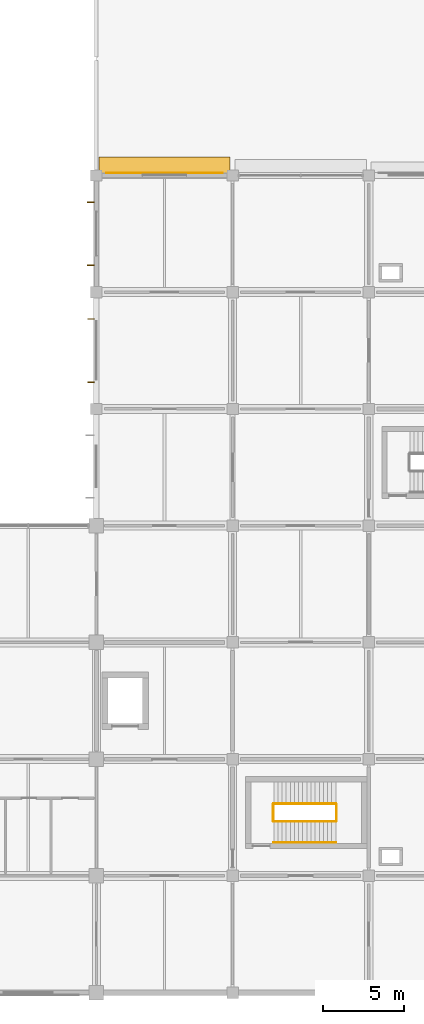
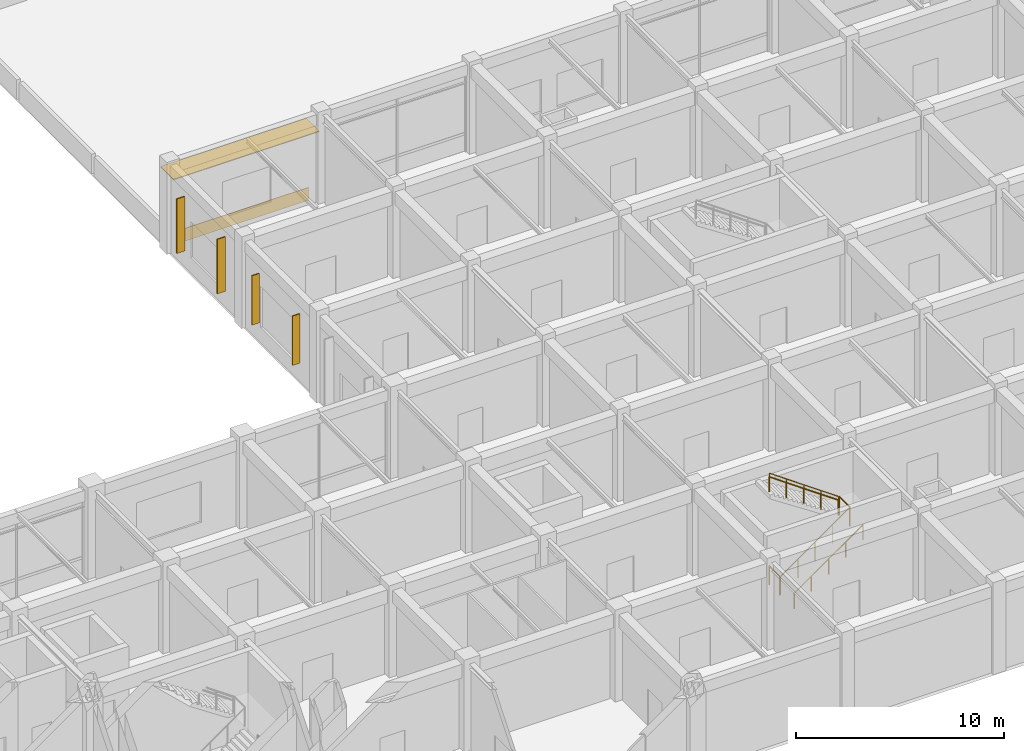
# One storey, part 39 of 41: 6 railings, 5 shading devices, 1 covering.
"""IFC4 building model written with IfcOpenShell, lengths in metres."""

import ifcopenshell
import ifcopenshell.guid

model = None  # the IFC model being written
_history = None  # IfcOwnerHistory: only IFC2X3 demands one
_inside = {}  # id of a spatial element -> (the spatial element, [elements in it])
_under = {}  # id of a project, library or spatial element -> (it, [spatial elements below it])
_declared = {}  # id of a project -> (the project, [libraries it declares])
_typed = {}  # id of a type object -> (the type object, [elements of that type])
_made_of = {}  # id of a material, layer set ... -> (it, [elements and type objects made of it])


def new_model(schema):
    """Start an empty IFC model of exactly this schema.

    Asked for "IFC4X3", IfcOpenShell would pick the latest addendum, in which some entities
    have other attributes; the version numbers below select the first issue.
    IFC2X3 requires an IfcOwnerHistory on every rooted entity: one is made here for all.
    """
    global model, _history
    if schema == "IFC4X3":
        model = ifcopenshell.file(schema_version=(4, 3, 0, 0))
    else:
        model = ifcopenshell.file(schema=schema)
    _inside.clear()
    _under.clear()
    _declared.clear()
    _typed.clear()
    _made_of.clear()
    _history = None
    if model.schema == "IFC2X3":
        org = make("IfcOrganization", Name="unknown")
        user = make(
            "IfcPersonAndOrganization",
            ThePerson=make("IfcPerson", FamilyName="unknown"),
            TheOrganization=org,
        )
        app = make(
            "IfcApplication",
            ApplicationDeveloper=org,
            Version="unknown",
            ApplicationFullName="unknown",
            ApplicationIdentifier="unknown",
        )
        _history = make(
            "IfcOwnerHistory",
            OwningUser=user,
            OwningApplication=app,
            ChangeAction="ADDED",
            CreationDate=0,
        )
    return model


def make(cls, **values):
    """One entity of the class cls with the attributes given. An attribute that is None is left unset."""
    return model.create_entity(
        cls, **{name: value for name, value in values.items() if value is not None}
    )


def rooted(cls, **values):
    """An entity with a GlobalId (a new one), such as an element, a storey or a relation."""
    return make(cls, GlobalId=ifcopenshell.guid.new(), OwnerHistory=_history, **values)


def si_unit(unit_type, name, prefix=None):
    """IfcSIUnit, for example si_unit("LENGTHUNIT", "METRE", prefix="MILLI")."""
    return make("IfcSIUnit", UnitType=unit_type, Prefix=prefix, Name=name)


def derived_unit(unit_type, elements):
    """IfcDerivedUnit: a product of units, each with its exponent."""
    return make(
        "IfcDerivedUnit",
        Elements=[
            make("IfcDerivedUnitElement", Unit=unit, Exponent=power)
            for unit, power in elements
        ],
        UnitType=unit_type,
    )


def assignment(units):
    """IfcUnitAssignment: the units of a project."""
    return None if units is None else make("IfcUnitAssignment", Units=units)


def point(xyz):
    """IfcCartesianPoint."""
    return None if xyz is None else make("IfcCartesianPoint", Coordinates=xyz)


def direction(xyz):
    """IfcDirection."""
    return None if xyz is None else make("IfcDirection", DirectionRatios=xyz)


def frame(location, z_axis=None, x_axis=None):
    """IfcAxis2Placement3D, a coordinate frame: its origin and axes. An axis left out is left unset."""
    return make(
        "IfcAxis2Placement3D",
        Location=point(location),
        Axis=direction(z_axis),
        RefDirection=direction(x_axis),
    )


def frame_2d(location, x_axis=None):
    """IfcAxis2Placement2D, a coordinate frame in the plane: its origin and x axis."""
    return make(
        "IfcAxis2Placement2D", Location=point(location), RefDirection=direction(x_axis)
    )


def origin():
    """The frame at (0, 0, 0) with its axes left unset."""
    return frame((0.0, 0.0, 0.0))


def origin_2d():
    """The frame at (0, 0) in the plane with its x axis left unset."""
    return frame_2d((0.0, 0.0))


def place(relative_to, where):
    """IfcLocalPlacement: puts the frame where relative to a parent placement (None: the world)."""
    return make(
        "IfcLocalPlacement", PlacementRelTo=relative_to, RelativePlacement=where
    )


def context(
    kind, dimensions, precision=None, world=None, true_north=None, identifier=None
):
    """IfcGeometricRepresentationContext, for example the 3D "Model" context."""
    return make(
        "IfcGeometricRepresentationContext",
        ContextIdentifier=identifier,
        ContextType=kind,
        CoordinateSpaceDimension=dimensions,
        Precision=precision,
        WorldCoordinateSystem=world,
        TrueNorth=true_north,
    )


def subcontext(parent, identifier, kind, view, scale=None):
    """IfcGeometricRepresentationSubContext, for example "Body" below "Model"."""
    return make(
        "IfcGeometricRepresentationSubContext",
        ContextIdentifier=identifier,
        ContextType=kind,
        ParentContext=parent,
        TargetScale=scale,
        TargetView=view,
    )


def project(units=None, contexts=None):
    """IfcProject with its units and contexts."""
    return rooted(
        "IfcProject",
        Name="project",
        RepresentationContexts=contexts,
        UnitsInContext=assignment(units),
    )


def spatial(cls, under=None, at=None, **own):
    """A site, building, storey or space (cls), placed at a placement, below another one or the project."""
    s = rooted(cls, ObjectPlacement=at, **own)
    if under is not None:
        _under.setdefault(under.id(), (under, []))[1].append(s)
    return s


def profile(cls, at=None, kind="AREA", **sizes):
    """A parametric profile (cls). Its sizes go by their IFC names, for example OverallWidth=200.0."""
    return make(cls, ProfileType=kind, Position=at, **sizes)


def rectangle(**sizes):
    """IfcRectangleProfileDef."""
    return profile("IfcRectangleProfileDef", **sizes)


def circle(**sizes):
    """IfcCircleProfileDef."""
    return profile("IfcCircleProfileDef", **sizes)


def extrude(swept, where, along, depth):
    """IfcExtrudedAreaSolid: the profile swept, set in the frame where, extruded along a direction by depth."""
    return make(
        "IfcExtrudedAreaSolid",
        SweptArea=swept,
        Position=where,
        ExtrudedDirection=direction(along),
        Depth=depth,
    )


def shape(context_of_items, identifier, shape_type, items):
    """IfcShapeRepresentation: the items that make up one representation, for example the "Body"."""
    return make(
        "IfcShapeRepresentation",
        ContextOfItems=context_of_items,
        RepresentationIdentifier=identifier,
        RepresentationType=shape_type,
        Items=items,
    )


def material(Name=None, Category=None):
    """IfcMaterial."""
    return make("IfcMaterial", Name=Name, Category=Category)


def layer(
    of_material, thickness, ventilated=None, Name=None, Category=None, Priority=None
):
    """IfcMaterialLayer: one layer of a wall or slab, of a material (None: an air gap)."""
    return make(
        "IfcMaterialLayer",
        Material=of_material,
        LayerThickness=thickness,
        IsVentilated=ventilated,
        Name=Name,
        Category=Category,
        Priority=Priority,
    )


def layer_set(layers, Name=None):
    """IfcMaterialLayerSet."""
    return make("IfcMaterialLayerSet", MaterialLayers=layers, LayerSetName=Name)


def made_of(thing, what):
    """Note that an element or type object is made of a material, layer set ...; save() writes the relation."""
    if what is not None:
        _made_of.setdefault(what.id(), (what, []))[1].append(thing)
    return thing


def type_object(cls, material=None, **own):
    """A type object (cls), such as IfcWallType, which elements share."""
    return made_of(rooted(cls, **own), material)


def element(
    cls,
    number,
    at=None,
    inside=None,
    cuts=None,
    type_object=None,
    material=None,
    context=None,
    identifier="Body",
    shape_type=None,
    held_by="IfcProductDefinitionShape",
    body=None,
    shapes=None,
    **own,
):
    """One element of the class cls, such as IfcWall. Its Tag is "e" and its number.

    at: its placement. inside: the storey or other place that contains it. cuts: it is an
    opening in that element (IfcRelVoidsElement). A single representation is given by context,
    identifier, shape_type and body (its items); several are given by shapes. held_by: the class
    of the entity that holds the representations. save() writes the other relations.
    """
    e = rooted(cls, Tag="e%d" % number, ObjectPlacement=at, **own)
    if body is not None:
        shapes = [shape(context, identifier, shape_type, body)]
    if shapes is not None:
        e.Representation = make(held_by, Representations=shapes)
    if inside is not None:
        _inside.setdefault(inside.id(), (inside, []))[1].append(e)
    if cuts is not None:
        rooted(
            "IfcRelVoidsElement", RelatingBuildingElement=cuts, RelatedOpeningElement=e
        )
    if type_object is not None:
        _typed.setdefault(type_object.id(), (type_object, []))[1].append(e)
    return made_of(e, material)


def aggregate(whole, parts):
    """IfcRelAggregates: a whole, such as a stair, and the parts it consists of."""
    return rooted("IfcRelAggregates", RelatingObject=whole, RelatedObjects=parts)


def save(model, path):
    """Write the relations noted so far, then the file.

    IfcRelAggregates (storeys below a building ...), IfcRelContainedInSpatialStructure (elements
    in a storey), IfcRelDefinesByType, IfcRelAssociatesMaterial and IfcRelDeclares: one each for
    every whole, place, type object, material and project.
    """
    for whole, parts in _under.values():
        aggregate(whole, parts)
    for where, things in _inside.values():
        rooted(
            "IfcRelContainedInSpatialStructure",
            RelatedElements=things,
            RelatingStructure=where,
        )
    for kind, things in _typed.values():
        rooted("IfcRelDefinesByType", RelatedObjects=things, RelatingType=kind)
    for what, things in _made_of.values():
        rooted("IfcRelAssociatesMaterial", RelatedObjects=things, RelatingMaterial=what)
    for by, libraries in _declared.values():
        rooted("IfcRelDeclares", RelatingContext=by, RelatedDefinitions=libraries)
    model.write(path)


model = new_model("IFC4")

# Units and contexts
model_context = context("Model", 3, precision=1e-05, world=origin(), true_north=direction((0.0, 1.0)))
body_context = subcontext(model_context, "Body", "Model", "MODEL_VIEW")
ifc_project = project(units=[si_unit("LENGTHUNIT", "METRE"), si_unit("AREAUNIT", "SQUARE_METRE"), si_unit("VOLUMEUNIT", "CUBIC_METRE"), si_unit("PLANEANGLEUNIT", "RADIAN"), si_unit("MASSUNIT", "GRAM", prefix="KILO"), derived_unit("THERMALTRANSMITTANCEUNIT", [(si_unit("MASSUNIT", "GRAM", prefix="KILO"), 1), (si_unit("TIMEUNIT", "SECOND"), -3), (si_unit("THERMODYNAMICTEMPERATUREUNIT", "KELVIN"), -1)])], contexts=[model_context])

# Site, building, storey
site_placement = place(None, origin())
site = spatial("IfcSite", under=ifc_project, at=site_placement, CompositionType="ELEMENT")
building_placement = place(site_placement, origin())
building = spatial("IfcBuilding", under=site, at=building_placement, Name="Veldstrom Oceanarium and Marine Research Institute", CompositionType="ELEMENT")
storey_placement = place(building_placement, frame((0.0, 0.0, 6.0)))
storey = spatial("IfcBuildingStorey", under=building, at=storey_placement, Name="L01", CompositionType="ELEMENT", Elevation=6.0)

# Covering
ifc_material_1 = material(Name="Anodised Aluminium Spandrel Rainscreen Cladding", Category="aluminium")
ifc_layer_1 = layer(ifc_material_1, 0.75)
ifc_layer_set_1 = layer_set([ifc_layer_1], Name="ARC-COV-CD1")
covering_type = type_object("IfcCoveringType", Name="ARC-COV-CD1", PredefinedType="CLADDING", material=ifc_layer_set_1)
covering_placement = place(storey_placement, frame((121.800048828125, 93.74853515625, 0.044921875), z_axis=(0.0, 0.0, 1.0), x_axis=(1.0, 0.0, 0.0)))
element("IfcCovering", 1, at=covering_placement, inside=storey, type_object=covering_type, Name="Spandrel Rainscreen Cladding L01-052", PredefinedType="CLADDING", context=body_context, shape_type="SweptSolid", body=[
    extrude(rectangle(XDim=7.199951171875, YDim=0.034912109375, at=origin_2d()), origin(), (0.0, 0.0, 1.0), 0.75),
])

# Railings
ifc_material_2 = material(Name="Duplex Stainless Steel Balustrade", Category="steel")
ifc_layer_2 = layer(ifc_material_2, 0.06005859375)
ifc_layer_set_2 = layer_set([ifc_layer_2], Name="ARC-RLG-GR1")
railing_type_1 = type_object("IfcRailingType", Name="ARC-RLG-GR1", PredefinedType="GUARDRAIL", material=ifc_layer_set_2)
railing_1_placement = place(storey_placement, frame((128.5, 53.800048828125, 0.0)))
element("IfcRailing", 2, at=railing_1_placement, inside=storey, type_object=railing_type_1, Name="Stair Well Landing Guard ST4 L01", PredefinedType="GUARDRAIL", context=body_context, shape_type="SweptSolid", body=[
    extrude(circle(Radius=0.02392578125, at=origin_2d()), frame((0.0, 0.0, 1.09619140625), z_axis=(0.0, 1.0, 0.0), x_axis=(-1.0, 0.0, 0.0)), (0.0, 0.0, 1.0), 1.0),
    extrude(circle(Radius=0.02099609375, at=origin_2d()), origin(), (0.0, 0.0, 1.0), 1.072021484375),
    extrude(circle(Radius=0.02099609375, at=origin_2d()), frame((0.0, 1.0, 0.0)), (0.0, 0.0, 1.0), 1.072021484375),
])
railing_2_placement = place(storey_placement, frame((128.5400390625, 53.760009765625, 0.0)))
element("IfcRailing", 3, at=railing_2_placement, inside=storey, type_object=railing_type_1, Name="Stair Flight Guardrail ST4-L01-1", PredefinedType="GUARDRAIL", context=body_context, shape_type="SweptSolid", body=[
    extrude(circle(Radius=0.02392578125, at=origin_2d()), frame((0.0, 0.0, 1.09619140625), z_axis=(0.816969308413, 0.0, 0.5766811503), x_axis=(0.0, 1.0, 0.0)), (0.0, 0.0, 1.0), 4.681884765625),
    extrude(circle(Radius=0.02099609375, at=origin_2d()), origin(), (0.0, 0.0, 1.0), 1.072021484375),
    extrude(circle(Radius=0.02099609375, at=origin_2d()), frame((0.956298828125, 0.0, 0.675048828125)), (0.0, 0.0, 1.0), 1.072021484375),
    extrude(circle(Radius=0.02099609375, at=origin_2d()), frame((1.91259765625, 0.0, 1.35009765625)), (0.0, 0.0, 1.0), 1.072021484375),
    extrude(circle(Radius=0.02099609375, at=origin_2d()), frame((2.86865234375, 0.0, 2.02490234375)), (0.0, 0.0, 1.0), 1.072021484375),
    extrude(circle(Radius=0.02099609375, at=origin_2d()), frame((3.824951171875, 0.0, 2.699951171875)), (0.0, 0.0, 1.0), 1.072021484375),
])
railing_3_placement = place(storey_placement, frame((132.405029296875, 53.800048828125, 2.699951171875)))
element("IfcRailing", 4, at=railing_3_placement, inside=storey, type_object=railing_type_1, Name="Stair Half-Landing Guardrail ST4-L01", PredefinedType="GUARDRAIL", context=body_context, shape_type="SweptSolid", body=[
    extrude(circle(Radius=0.02392578125, at=origin_2d()), frame((0.0, 0.0, 1.09619140625), z_axis=(0.0, 1.0, 0.0), x_axis=(-1.0, 0.0, 0.0)), (0.0, 0.0, 1.0), 1.0),
    extrude(circle(Radius=0.02099609375, at=origin_2d()), origin(), (0.0, 0.0, 1.0), 1.072021484375),
    extrude(circle(Radius=0.02099609375, at=origin_2d()), frame((0.0, 1.0, 0.0)), (0.0, 0.0, 1.0), 1.072021484375),
])
railing_4_placement = place(storey_placement, frame((132.364990234375, 54.840087890625, 2.699951171875)))
element("IfcRailing", 5, at=railing_4_placement, inside=storey, type_object=railing_type_1, Name="Stair Flight Guardrail ST4-L01-2", PredefinedType="GUARDRAIL", context=body_context, shape_type="SweptSolid", body=[
    extrude(circle(Radius=0.02392578125, at=origin_2d()), frame((0.0, 0.0, 1.09619140625), z_axis=(-0.816969308413, 0.0, 0.5766811503), x_axis=(0.0, -1.0, 0.0)), (0.0, 0.0, 1.0), 4.681884765625),
    extrude(circle(Radius=0.02099609375, at=origin_2d()), origin(), (0.0, 0.0, 1.0), 1.072021484375),
    extrude(circle(Radius=0.02099609375, at=origin_2d()), frame((-0.956298828125, 0.0, 0.675048828125)), (0.0, 0.0, 1.0), 1.072021484375),
    extrude(circle(Radius=0.02099609375, at=origin_2d()), frame((-1.91259765625, 0.0, 1.35009765625)), (0.0, 0.0, 1.0), 1.072021484375),
    extrude(circle(Radius=0.02099609375, at=origin_2d()), frame((-2.86865234375, 0.0, 2.02490234375)), (0.0, 0.0, 1.0), 1.072021484375),
    extrude(circle(Radius=0.02099609375, at=origin_2d()), frame((-3.824951171875, 0.0, 2.699951171875)), (0.0, 0.0, 1.0), 1.072021484375),
])
ifc_material_3 = material(Name="Brushed Stainless Steel Handrail", Category="steel")
ifc_layer_3 = layer(ifc_material_3, 0.050048828125)
ifc_layer_set_3 = layer_set([ifc_layer_3], Name="ARC-RLG-HR1")
railing_type_2 = type_object("IfcRailingType", Name="ARC-RLG-HR1", PredefinedType="HANDRAIL", material=ifc_layer_set_3)
railing_5_placement = place(storey_placement, frame((128.5400390625, 52.4599609375, 0.0)))
element("IfcRailing", 6, at=railing_5_placement, inside=storey, type_object=railing_type_2, Name="Stair Wall Handrail ST4-L01-1", PredefinedType="HANDRAIL", context=body_context, shape_type="SweptSolid", body=[
    extrude(circle(Radius=0.02392578125, at=origin_2d()), frame((0.0, 0.0, 0.8759765625), z_axis=(0.816969308413, 0.0, 0.5766811503), x_axis=(0.0, 1.0, 0.0)), (0.0, 0.0, 1.0), 4.681884765625),
    extrude(circle(Radius=0.02099609375, at=origin_2d()), origin(), (0.0, 0.0, 1.0), 0.851806640625),
    extrude(circle(Radius=0.02099609375, at=origin_2d()), frame((0.956298828125, 0.0, 0.675048828125)), (0.0, 0.0, 1.0), 0.851806640625),
    extrude(circle(Radius=0.02099609375, at=origin_2d()), frame((1.91259765625, 0.0, 1.35009765625)), (0.0, 0.0, 1.0), 0.851806640625),
    extrude(circle(Radius=0.02099609375, at=origin_2d()), frame((2.86865234375, 0.0, 2.02490234375)), (0.0, 0.0, 1.0), 0.851806640625),
    extrude(circle(Radius=0.02099609375, at=origin_2d()), frame((3.824951171875, 0.0, 2.699951171875)), (0.0, 0.0, 1.0), 0.851806640625),
])
railing_6_placement = place(storey_placement, frame((132.364990234375, 54.860107421875, 2.699951171875)))
element("IfcRailing", 7, at=railing_6_placement, inside=storey, type_object=railing_type_2, Name="Stair Wall Handrail ST4-L01-2", PredefinedType="HANDRAIL", context=body_context, shape_type="SweptSolid", body=[
    extrude(circle(Radius=0.02392578125, at=origin_2d()), frame((0.0, 0.0, 0.8759765625), z_axis=(-0.816969308413, 0.0, 0.5766811503), x_axis=(0.0, -1.0, 0.0)), (0.0, 0.0, 1.0), 4.681884765625),
    extrude(circle(Radius=0.02099609375, at=origin_2d()), origin(), (0.0, 0.0, 1.0), 0.851806640625),
    extrude(circle(Radius=0.02099609375, at=origin_2d()), frame((-0.956298828125, 0.0, 0.675048828125)), (0.0, 0.0, 1.0), 0.851806640625),
    extrude(circle(Radius=0.02099609375, at=origin_2d()), frame((-1.91259765625, 0.0, 1.35009765625)), (0.0, 0.0, 1.0), 0.851806640625),
    extrude(circle(Radius=0.02099609375, at=origin_2d()), frame((-2.86865234375, 0.0, 2.02490234375)), (0.0, 0.0, 1.0), 0.851806640625),
    extrude(circle(Radius=0.02099609375, at=origin_2d()), frame((-3.824951171875, 0.0, 2.699951171875)), (0.0, 0.0, 1.0), 0.851806640625),
])

# Shading devices
ifc_material_4 = material(Name="Precast Terracotta Brise-Soleil Louvre", Category="masonry")
ifc_layer_4 = layer(ifc_material_4, 3.199951171875)
ifc_layer_set_4 = layer_set([ifc_layer_4], Name="ARC-SHD-BS02")
shading_device_type_1 = type_object("IfcShadingDeviceType", Name="ARC-SHD-BS02", PredefinedType="JALOUSIE", material=ifc_layer_set_4)
for number, where, z_axis, x_axis, name in (
    (8, (117.2548828125, 88.050048828125, 0.9375), (0.0, 0.0, 1.0), (1.0, 0.0, 0.0), "Terracotta Brise-Soleil Louvre L01-053"),
    (9, (117.2548828125, 91.949951171875, 0.9375), (0.0, 0.0, 1.0), (1.0, 0.0, 0.0), "Terracotta Brise-Soleil Louvre L01-053"),
):
    element("IfcShadingDevice", number, at=place(storey_placement, frame(where, z_axis=z_axis, x_axis=x_axis)), inside=storey, type_object=shading_device_type_1, Name=name, PredefinedType="JALOUSIE", context=body_context, shape_type="SweptSolid", body=[
        extrude(rectangle(XDim=0.449951171875, YDim=0.06005859375, at=origin_2d()), origin(), (0.0, 0.0, 1.0), 3.199951171875),
    ])
ifc_material_5 = material(Name="Precast Terracotta Brise-Soleil Louvre", Category="masonry")
ifc_layer_5 = layer(ifc_material_5, 2.89990234375)
ifc_layer_set_5 = layer_set([ifc_layer_5], Name="ARC-SHD-BS04")
shading_device_type_2 = type_object("IfcShadingDeviceType", Name="ARC-SHD-BS04", PredefinedType="JALOUSIE", material=ifc_layer_set_5)
for number, where, z_axis, x_axis, name in (
    (10, (117.260009765625, 80.85009765625, 1.087646484375), (0.0, 0.0, 1.0), (1.0, 0.0, 0.0), "Terracotta Brise-Soleil Louvre L01-051"),
    (11, (117.260009765625, 84.75, 1.087646484375), (0.0, 0.0, 1.0), (1.0, 0.0, 0.0), "Terracotta Brise-Soleil Louvre L01-051"),
):
    element("IfcShadingDevice", number, at=place(storey_placement, frame(where, z_axis=z_axis, x_axis=x_axis)), inside=storey, type_object=shading_device_type_2, Name=name, PredefinedType="JALOUSIE", context=body_context, shape_type="SweptSolid", body=[
        extrude(rectangle(XDim=0.39990234375, YDim=0.054931640625, at=origin_2d()), origin(), (0.0, 0.0, 1.0), 2.89990234375),
    ])
ifc_material_6 = material(Name="Perforated Anodised Aluminium Louvre", Category="aluminium")
ifc_layer_6 = layer(ifc_material_6, 0.054931640625)
ifc_layer_set_6 = layer_set([ifc_layer_6], Name="ARC-SHD-SH01")
shading_device_type_3 = type_object("IfcShadingDeviceType", Name="ARC-SHD-SH01", PredefinedType="AWNING", material=ifc_layer_set_6)
shading_device_placement = place(storey_placement, frame((121.800048828125, 94.10498046875, 4.0498046875), z_axis=(0.0, 0.0, 1.0), x_axis=(1.0, 0.0, 0.0)))
element("IfcShadingDevice", 12, at=shading_device_placement, inside=storey, type_object=shading_device_type_3, Name="North Solar Canopy Louvre L01-15", PredefinedType="AWNING", context=body_context, shape_type="SweptSolid", body=[
    extrude(rectangle(XDim=8.10009765625, YDim=1.25, at=origin_2d()), origin(), (0.0, 0.0, 1.0), 0.054931640625),
])

save(model, "model.ifc")
